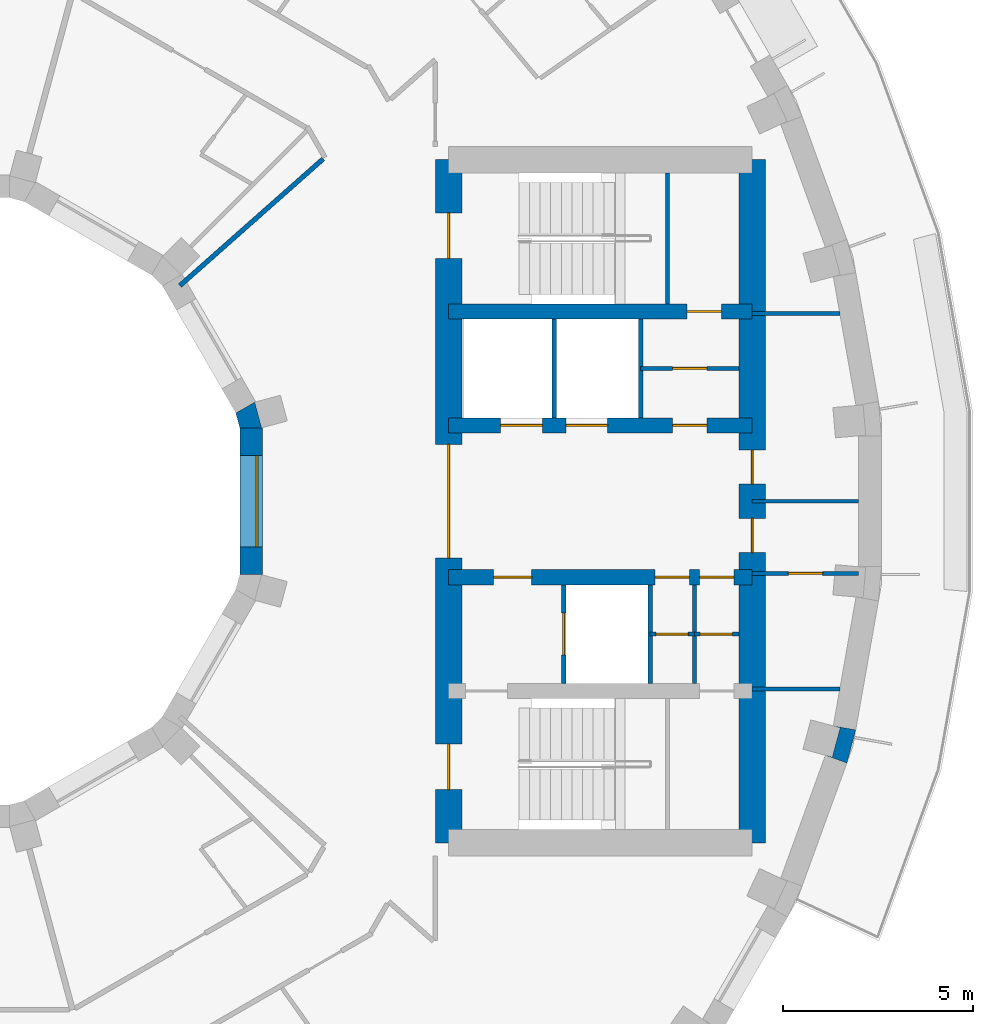
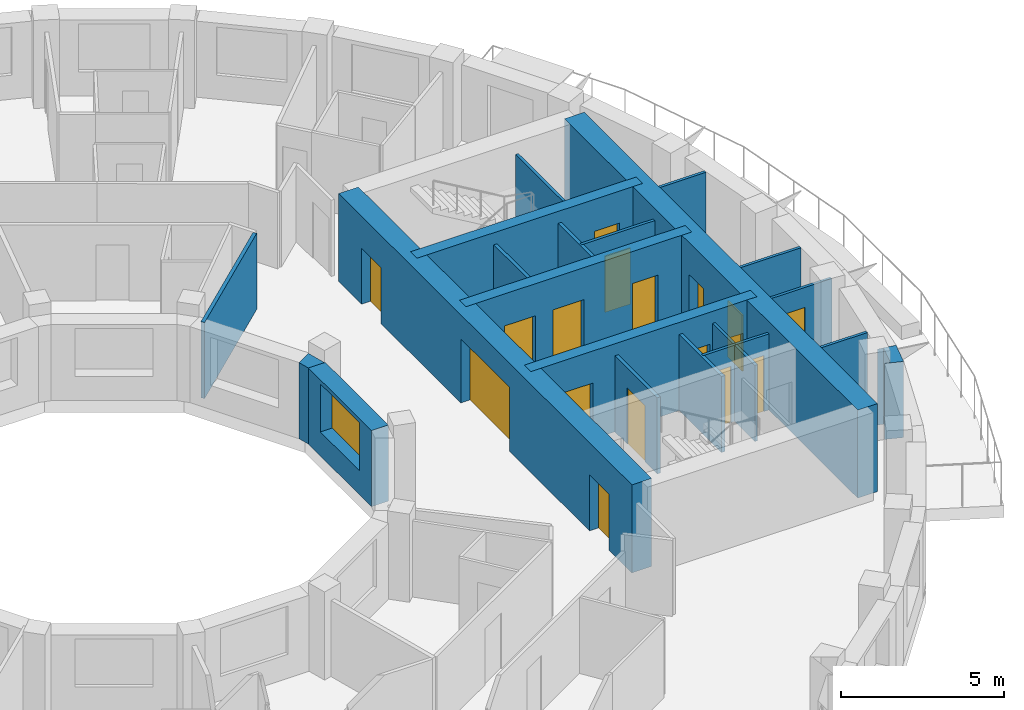
# One storey, part 6 of 11: 22 walls, 17 doors, 1 window, 18 openings.
"""IFC4 building model written with IfcOpenShell, lengths in metres."""

from ifc_helpers import new_model, si_unit, direction, frame, frame_2d, origin, place, context, subcontext, project, spatial, polyline, rectangle, outline, extrude, material, layer, layer_set, type_object, element, fill, save


model = new_model("IFC4")

# Units and contexts
model_context = context("Model", 3, precision=1e-05, world=origin(), true_north=direction((0.0, 1.0)))
body_context = subcontext(model_context, "Body", "Model", "MODEL_VIEW")
ifc_project = project(units=[si_unit("LENGTHUNIT", "METRE"), si_unit("AREAUNIT", "SQUARE_METRE"), si_unit("VOLUMEUNIT", "CUBIC_METRE"), si_unit("PLANEANGLEUNIT", "RADIAN"), si_unit("MASSUNIT", "GRAM", prefix="KILO")], contexts=[model_context])

# Site, building, storey
site_placement = place(None, origin())
site = spatial("IfcSite", under=ifc_project, at=site_placement, CompositionType="ELEMENT")
building_placement = place(site_placement, origin())
building = spatial("IfcBuilding", under=site, at=building_placement, Name="Saqina Gate Tower", CompositionType="ELEMENT")
storey_placement = place(building_placement, frame((0.0, 0.0, 183.89990234375)))
storey = spatial("IfcBuildingStorey", under=building, at=storey_placement, Name="L52", CompositionType="ELEMENT", Elevation=183.89990234375)

# Walls
ifc_material_1 = material(Name="Brick masonry (buff)", Category="masonry")
wall_type_1 = type_object("IfcWallType", Name="BRICK PIER COPING BUFF", PredefinedType="SOLIDWALL", material=ifc_material_1)
wall_1_placement = place(storey_placement, origin())
element("IfcWall", 1, at=wall_1_placement, inside=storey, type_object=wall_type_1, Name="Pier cap L52 column 35", PredefinedType="SOLIDWALL", context=body_context, shape_type="SweptSolid", body=[
    extrude(outline(polyline([(24.22705078125, -6.0234375), (23.635986328125, -5.919189453125), (23.81689453125, -5.967529296875), (23.610107421875, -6.740478515625), (23.428955078125, -6.69189453125), (23.992919921875, -6.897216796875), (24.22705078125, -6.0234375)])), origin(), (0.0, 0.0, 1.0), 2.85009765625),
])
ifc_material_2 = material(Name="Gypsum board on steel studs", Category="steel")
ifc_layer_1 = layer(ifc_material_2, 0.10009765625)
ifc_layer_set_1 = layer_set([ifc_layer_1], Name="CORE PARTITION")
wall_type_2 = type_object("IfcWallType", Name="CORE PARTITION", PredefinedType="PARTITIONING", material=ifc_layer_set_1)
for number, where, z_axis, x_axis, name in (
    (2, (21.5, 4.949951171875, 0.0), (0.0, 0.0, 1.0), (1.0, 0.0, 0.0), "L52-CP-E01"),
    (3, (21.5, -4.949951171875, 0.0), (0.0, 0.0, 1.0), (1.0, 0.0, 0.0), "L52-CP-E02"),
):
    element("IfcWall", number, at=place(storey_placement, frame(where, z_axis=z_axis, x_axis=x_axis)), inside=storey, type_object=wall_type_2, Name=name, PredefinedType="PARTITIONING", context=body_context, shape_type="SweptSolid", body=[
        extrude(rectangle(XDim=2.306884765625, YDim=0.10009765625, at=frame_2d((1.1533203125, 0.0))), origin(), (0.0, 0.0, 1.0), 2.85009765625),
    ])

# Wall, opening, door
wall_2_placement = place(storey_placement, frame((21.5, -1.89990234375, 0.0), z_axis=(0.0, 0.0, 1.0), x_axis=(1.0, 0.0, 0.0)))
wall_2 = element("IfcWall", 4, at=wall_2_placement, inside=storey, type_object=wall_type_2, Name="L52-CP-E03", PredefinedType="PARTITIONING", context=body_context, shape_type="SweptSolid", body=[
    extrude(rectangle(XDim=2.804931640625, YDim=0.10009765625, at=frame_2d((1.40234375, 0.0))), origin(), (0.0, 0.0, 1.0), 2.85009765625),
])
opening_1_placement = place(wall_2_placement, frame((0.952392578125, 0.0, 0.0)))
opening_1 = element("IfcOpeningElement", 5, at=opening_1_placement, cuts=wall_2, Name="Opening G15-D95", PredefinedType="OPENING", context=body_context, shape_type="SweptSolid", body=[
    extrude(rectangle(XDim=0.89990234375, YDim=2.10009765625, at=frame_2d((0.449951171875, 1.050048828125))), frame((0.0, 0.06201171875, 0.0), z_axis=(0.0, -1.0, 0.0), x_axis=(1.0, 0.0, 0.0)), (0.0, 0.0, 1.0), 0.1240234375),
])
ifc_material_3 = material(Name="Steel-framed fire door leaf, EI 60", Category="steel")
door_type_1 = type_object("IfcDoorType", Name="SERVICE ROOM DOOR 900", OperationType="SINGLE_SWING_LEFT", PredefinedType="DOOR", material=ifc_material_3)
door_1_placement = place(opening_1_placement, frame((0.89990234375, 0.0, 0.0), z_axis=(0.0, 0.0, 1.0), x_axis=(-1.0, 0.0, 0.0)))
door_1 = element("IfcDoor", 6, at=door_1_placement, inside=storey, type_object=door_type_1, Name="L52-CD-E06", OperationType="SINGLE_SWING_RIGHT", OverallHeight=2.10009765625, OverallWidth=0.89990234375, PredefinedType="DOOR", context=body_context, shape_type="SweptSolid", body=[
    extrude(rectangle(XDim=0.89990234375, YDim=2.10009765625, at=frame_2d((0.449951171875, 1.050048828125))), frame((0.0, 0.02490234375, 0.0), z_axis=(0.0, -1.0, 0.0), x_axis=(1.0, 0.0, 0.0)), (0.0, 0.0, 1.0), 0.050048828125),
])
fill(opening_1, door_1)

# Walls
wall_3_placement = place(storey_placement, frame((21.5, 0.0, 0.0), z_axis=(0.0, 0.0, 1.0), x_axis=(1.0, 0.0, 0.0)))
element("IfcWall", 7, at=wall_3_placement, inside=storey, type_object=wall_type_2, Name="L52-CP-E04", PredefinedType="PARTITIONING", context=body_context, shape_type="SweptSolid", body=[
    extrude(rectangle(XDim=2.804931640625, YDim=0.10009765625, at=frame_2d((1.40234375, 0.0))), origin(), (0.0, 0.0, 1.0), 2.85009765625),
])
wall_4_placement = place(storey_placement, frame((19.97998046875, -4.800048828125, 0.0), z_axis=(0.0, 0.0, 1.0), x_axis=(0.0, 1.0, 0.0)))
element("IfcWall", 8, at=wall_4_placement, inside=storey, type_object=wall_type_2, Name="L52-CP-E09", PredefinedType="PARTITIONING", context=body_context, shape_type="SweptSolid", body=[
    extrude(rectangle(XDim=2.60009765625, YDim=0.10009765625, at=frame_2d((1.300048828125, 0.0))), origin(), (0.0, 0.0, 1.0), 2.85009765625),
])

# Wall, opening, door
wall_5_placement = place(storey_placement, frame((18.56005859375, 3.5, 0.0), z_axis=(0.0, 0.0, 1.0), x_axis=(1.0, 0.0, 0.0)))
wall_5 = element("IfcWall", 9, at=wall_5_placement, inside=storey, type_object=wall_type_2, Name="L52-CP-E10", PredefinedType="PARTITIONING", context=body_context, shape_type="SweptSolid", body=[
    extrude(rectangle(XDim=2.58984375, YDim=0.10009765625, at=frame_2d((1.294921875, 0.0))), origin(), (0.0, 0.0, 1.0), 2.85009765625),
])
opening_2_placement = place(wall_5_placement, frame((0.844970703125, 0.0, 0.0)))
opening_2 = element("IfcOpeningElement", 10, at=opening_2_placement, cuts=wall_5, Name="Opening G15-D97", PredefinedType="OPENING", context=body_context, shape_type="SweptSolid", body=[
    extrude(rectangle(XDim=0.89990234375, YDim=2.10009765625, at=frame_2d((0.449951171875, 1.050048828125))), frame((0.0, 0.06201171875, 0.0), z_axis=(0.0, -1.0, 0.0), x_axis=(1.0, 0.0, 0.0)), (0.0, 0.0, 1.0), 0.1240234375),
])
door_2_placement = place(opening_2_placement, origin())
door_2 = element("IfcDoor", 11, at=door_2_placement, inside=storey, type_object=door_type_1, Name="L52-CD-E08", OperationType="SINGLE_SWING_RIGHT", OverallHeight=2.10009765625, OverallWidth=0.89990234375, PredefinedType="DOOR", context=body_context, shape_type="SweptSolid", body=[
    extrude(rectangle(XDim=0.89990234375, YDim=2.10009765625, at=frame_2d((0.449951171875, 1.050048828125))), frame((0.0, 0.02490234375, 0.0), z_axis=(0.0, -1.0, 0.0), x_axis=(1.0, 0.0, 0.0)), (0.0, 0.0, 1.0), 0.050048828125),
])
fill(opening_2, door_2)

wall_6_placement = place(storey_placement, frame((18.81005859375, -3.5, 0.0), z_axis=(0.0, 0.0, 1.0), x_axis=(1.0, 0.0, 0.0)))
wall_6 = element("IfcWall", 12, at=wall_6_placement, inside=storey, type_object=wall_type_2, Name="L52-CP-E11", PredefinedType="PARTITIONING", context=body_context, shape_type="SweptSolid", body=[
    extrude(rectangle(XDim=1.169921875, YDim=0.10009765625, at=frame_2d((0.5849609375, 0.0))), origin(), (0.0, 0.0, 1.0), 2.85009765625),
])
opening_3_placement = place(wall_6_placement, frame((0.14990234375, 0.0, 0.0)))
opening_3 = element("IfcOpeningElement", 13, at=opening_3_placement, cuts=wall_6, Name="Opening G15-D99", PredefinedType="OPENING", context=body_context, shape_type="SweptSolid", body=[
    extrude(rectangle(XDim=0.85009765625, YDim=2.10009765625, at=frame_2d((0.425048828125, 1.050048828125))), frame((0.0, 0.06201171875, 0.0), z_axis=(0.0, -1.0, 0.0), x_axis=(1.0, 0.0, 0.0)), (0.0, 0.0, 1.0), 0.1240234375),
])
ifc_material_4 = material(Name="Steel-framed fire door leaf, EI 60", Category="steel")
door_type_2 = type_object("IfcDoorType", Name="SERVICE ROOM DOOR 850", OperationType="SINGLE_SWING_LEFT", PredefinedType="DOOR", material=ifc_material_4)
door_3_placement = place(opening_3_placement, frame((0.85009765625, 0.0, 0.0), z_axis=(0.0, 0.0, 1.0), x_axis=(-1.0, 0.0, 0.0)))
door_3 = element("IfcDoor", 14, at=door_3_placement, inside=storey, type_object=door_type_2, Name="L52-CD-E10", OperationType="SINGLE_SWING_RIGHT", OverallHeight=2.10009765625, OverallWidth=0.85009765625, PredefinedType="DOOR", context=body_context, shape_type="SweptSolid", body=[
    extrude(rectangle(XDim=0.85009765625, YDim=2.10009765625, at=frame_2d((0.425048828125, 1.050048828125))), frame((0.0, 0.02490234375, 0.0), z_axis=(0.0, -1.0, 0.0), x_axis=(1.0, 0.0, 0.0)), (0.0, 0.0, 1.0), 0.050048828125),
])
fill(opening_3, door_3)

wall_7_placement = place(storey_placement, frame((19.97998046875, -3.5, 0.0), z_axis=(0.0, 0.0, 1.0), x_axis=(1.0, 0.0, 0.0)))
wall_7 = element("IfcWall", 15, at=wall_7_placement, inside=storey, type_object=wall_type_2, Name="L52-CP-E12", PredefinedType="PARTITIONING", context=body_context, shape_type="SweptSolid", body=[
    extrude(rectangle(XDim=1.169921875, YDim=0.10009765625, at=frame_2d((0.5849609375, 0.0))), origin(), (0.0, 0.0, 1.0), 2.85009765625),
])
opening_4_placement = place(wall_7_placement, frame((0.14990234375, 0.0, 0.0)))
opening_4 = element("IfcOpeningElement", 16, at=opening_4_placement, cuts=wall_7, Name="Opening G15-D100", PredefinedType="OPENING", context=body_context, shape_type="SweptSolid", body=[
    extrude(rectangle(XDim=0.85009765625, YDim=2.10009765625, at=frame_2d((0.425048828125, 1.050048828125))), frame((0.0, 0.06201171875, 0.0), z_axis=(0.0, -1.0, 0.0), x_axis=(1.0, 0.0, 0.0)), (0.0, 0.0, 1.0), 0.1240234375),
])
door_4_placement = place(opening_4_placement, frame((0.85009765625, 0.0, 0.0), z_axis=(0.0, 0.0, 1.0), x_axis=(-1.0, 0.0, 0.0)))
door_4 = element("IfcDoor", 17, at=door_4_placement, inside=storey, type_object=door_type_2, Name="L52-CD-E11", OperationType="SINGLE_SWING_LEFT", OverallHeight=2.10009765625, OverallWidth=0.85009765625, PredefinedType="DOOR", context=body_context, shape_type="SweptSolid", body=[
    extrude(rectangle(XDim=0.85009765625, YDim=2.10009765625, at=frame_2d((0.425048828125, 1.050048828125))), frame((0.0, 0.02490234375, 0.0), z_axis=(0.0, -1.0, 0.0), x_axis=(1.0, 0.0, 0.0)), (0.0, 0.0, 1.0), 0.050048828125),
])
fill(opening_4, door_4)

# Wall, opening, window
ifc_material_5 = material(Name="Glazed ceramic tile", Category="ceramic")
ifc_layer_2 = layer(ifc_material_5, 0.60009765625)
ifc_layer_set_2 = layer_set([ifc_layer_2], Name="IW-TILE")
wall_type_3 = type_object("IfcWallType", Name="IW-TILE", PredefinedType="SOLIDWALL", material=ifc_layer_set_2)
wall_8_placement = place(storey_placement, frame((8.300048828125, -1.934814453125, 0.0), z_axis=(0.0, 0.0, 1.0), x_axis=(0.0, 1.0, 0.0)))
wall_8 = element("IfcWall", 18, at=wall_8_placement, inside=storey, type_object=wall_type_3, Name="Well wall L52 facet 12", PredefinedType="SOLIDWALL", context=body_context, shape_type="SweptSolid", body=[
    extrude(rectangle(XDim=3.86962890625, YDim=0.60009765625, at=frame_2d((1.934814453125, 0.0))), origin(), (0.0, 0.0, 1.0), 2.85009765625),
])
opening_5_placement = place(wall_8_placement, frame((0.73486328125, 0.0, 0.89990234375)))
opening_5 = element("IfcOpeningElement", 19, at=opening_5_placement, cuts=wall_8, Name="Opening G15-W37", PredefinedType="OPENING", context=body_context, shape_type="SweptSolid", body=[
    extrude(rectangle(XDim=2.39990234375, YDim=1.800048828125, at=frame_2d((1.199951171875, 0.89990234375))), frame((0.0, 0.31201171875, 0.0), z_axis=(0.0, -1.0, 0.0), x_axis=(1.0, 0.0, 0.0)), (0.0, 0.0, 1.0), 0.6240234375),
])
ifc_material_6 = material(Name="Aluminium glazing", Category="aluminium")
window_type = type_object("IfcWindowType", Name="WN-W", PartitioningType="SINGLE_PANEL", PredefinedType="WINDOW", material=ifc_material_6)
window_placement = place(opening_5_placement, origin())
window = element("IfcWindow", 20, at=window_placement, inside=storey, type_object=window_type, Name="Well window L52 facet 12", OverallHeight=1.800048828125, OverallWidth=2.39990234375, PartitioningType="SINGLE_PANEL", PredefinedType="WINDOW", context=body_context, shape_type="SweptSolid", body=[
    extrude(rectangle(XDim=2.39990234375, YDim=1.800048828125, at=frame_2d((1.199951171875, 0.89990234375))), frame((0.0, -0.119873046875, 0.0), z_axis=(0.0, -1.0, 0.0), x_axis=(1.0, 0.0, 0.0)), (0.0, 0.0, 1.0), 0.06005859375),
])
fill(opening_5, window)

# Walls
ifc_material_7 = material(Name="Gypsum board on steel studs, 125 mm, fire rated", Category="steel")
ifc_layer_3 = layer(ifc_material_7, 0.125)
ifc_layer_set_3 = layer_set([ifc_layer_3], Name="PARTITION EI 30 125")
wall_type_4 = type_object("IfcWallType", Name="PARTITION EI 30 125", PredefinedType="PARTITIONING", material=ifc_layer_set_3)
wall_9_placement = place(storey_placement, frame((6.419921875, 5.679931640625, 0.0), z_axis=(0.0, 0.0, 1.0), x_axis=(0.74896790207, 0.662606279527, 0.0)))
element("IfcWall", 21, at=wall_9_placement, inside=storey, type_object=wall_type_4, Name="PARTITION PW1-32", PredefinedType="PARTITIONING", context=body_context, shape_type="SweptSolid", body=[
    extrude(rectangle(XDim=5.04052734375, YDim=0.125, at=frame_2d((2.520263671875, 0.0))), origin(), (0.0, 0.0, 1.0), 2.85009765625),
])
ifc_material_8 = material(Name="Autoclaved aerated concrete block", Category="concrete")
ifc_layer_4 = layer(ifc_material_8, 0.1201171875)
ifc_layer_set_4 = layer_set([ifc_layer_4], Name="SHAFT PARTITION")
wall_type_5 = type_object("IfcWallType", Name="SHAFT PARTITION", PredefinedType="PARTITIONING", material=ifc_layer_set_4)
for number, where, z_axis, x_axis, name in (
    (22, (16.280029296875, 2.199951171875, 0.0), (0.0, 0.0, 1.0), (0.0, 1.0, 0.0), "L52-CP-E05"),
    (23, (18.56005859375, 2.199951171875, 0.0), (0.0, 0.0, 1.0), (0.0, 1.0, 0.0), "L52-CP-E06"),
):
    element("IfcWall", number, at=place(storey_placement, frame(where, z_axis=z_axis, x_axis=x_axis)), inside=storey, type_object=wall_type_5, Name=name, PredefinedType="PARTITIONING", context=body_context, shape_type="SweptSolid", body=[
        extrude(rectangle(XDim=2.60009765625, YDim=0.1201171875, at=frame_2d((1.300048828125, 0.0))), origin(), (0.0, 0.0, 1.0), 2.85009765625),
    ])

# Wall, opening, door
wall_10_placement = place(storey_placement, frame((16.530029296875, -4.800048828125, 0.0), z_axis=(0.0, 0.0, 1.0), x_axis=(0.0, 1.0, 0.0)))
wall_10 = element("IfcWall", 24, at=wall_10_placement, inside=storey, type_object=wall_type_5, Name="L52-CP-E07", PredefinedType="PARTITIONING", context=body_context, shape_type="SweptSolid", body=[
    extrude(rectangle(XDim=2.60009765625, YDim=0.1201171875, at=frame_2d((1.300048828125, 0.0))), origin(), (0.0, 0.0, 1.0), 2.85009765625),
])
opening_6_placement = place(wall_10_placement, frame((0.75, 0.0, 0.0)))
opening_6 = element("IfcOpeningElement", 25, at=opening_6_placement, cuts=wall_10, Name="Opening G15-LD3", PredefinedType="OPENING", context=body_context, shape_type="SweptSolid", body=[
    extrude(rectangle(XDim=1.10009765625, YDim=2.10009765625, at=frame_2d((0.550048828125, 1.050048828125))), frame((0.0, 0.072021484375, 0.0), z_axis=(0.0, -1.0, 0.0), x_axis=(1.0, 0.0, 0.0)), (0.0, 0.0, 1.0), 0.14404296875),
])
ifc_material_9 = material(Name="Stainless steel", Category="steel")
door_type_3 = type_object("IfcDoorType", Name="LANDING DOOR", OperationType="DOUBLE_DOOR_SLIDING", PredefinedType="DOOR", material=ifc_material_9)
door_5_placement = place(opening_6_placement, origin())
door_5 = element("IfcDoor", 26, at=door_5_placement, inside=storey, type_object=door_type_3, Name="LANDING DOOR FF1", OperationType="DOUBLE_DOOR_SLIDING", OverallHeight=2.10009765625, OverallWidth=1.10009765625, PredefinedType="DOOR", context=body_context, shape_type="SweptSolid", body=[
    extrude(rectangle(XDim=1.10009765625, YDim=2.10009765625, at=frame_2d((0.550048828125, 1.050048828125))), frame((0.0, 0.02490234375, 0.0), z_axis=(0.0, -1.0, 0.0), x_axis=(1.0, 0.0, 0.0)), (0.0, 0.0, 1.0), 0.050048828125),
])
fill(opening_6, door_5)

# Walls
wall_11_placement = place(storey_placement, frame((18.81005859375, -4.800048828125, 0.0), z_axis=(0.0, 0.0, 1.0), x_axis=(0.0, 1.0, 0.0)))
element("IfcWall", 27, at=wall_11_placement, inside=storey, type_object=wall_type_5, Name="L52-CP-E08", PredefinedType="PARTITIONING", context=body_context, shape_type="SweptSolid", body=[
    extrude(rectangle(XDim=2.60009765625, YDim=0.1201171875, at=frame_2d((1.300048828125, 0.0))), origin(), (0.0, 0.0, 1.0), 2.85009765625),
])
ifc_material_10 = material(Name="Autoclaved aerated concrete block", Category="concrete")
ifc_layer_5 = layer(ifc_material_10, 0.10009765625)
ifc_layer_set_5 = layer_set([ifc_layer_5], Name="STAIR ENCLOSURE WALL")
wall_type_6 = type_object("IfcWallType", Name="STAIR ENCLOSURE WALL", PredefinedType="PARTITIONING", material=ifc_layer_set_5)
wall_12_placement = place(storey_placement, frame((19.27001953125, 5.199951171875, 0.0), z_axis=(0.0, 0.0, 1.0), x_axis=(0.0, 1.0, 0.0)))
element("IfcWall", 28, at=wall_12_placement, inside=storey, type_object=wall_type_6, Name="L52-CP-E13", PredefinedType="PARTITIONING", context=body_context, shape_type="SweptSolid", body=[
    extrude(rectangle(XDim=3.449951171875, YDim=0.10009765625, at=frame_2d((1.72509765625, 0.0))), origin(), (0.0, 0.0, 1.0), 2.85009765625),
])

# Wall, opening, door
ifc_material_11 = material(Name="Concrete C60/75", Category="concrete")
ifc_layer_6 = layer(ifc_material_11, 0.39990234375)
ifc_layer_set_6 = layer_set([ifc_layer_6], Name="Concrete C60/75")
wall_type_7 = type_object("IfcWallType", Name="STR-CORE WALL-C-I", PredefinedType="SHEAR", material=ifc_layer_set_6)
wall_13_placement = place(storey_placement, frame((13.5, 5.0, 0.0), z_axis=(0.0, 0.0, 1.0), x_axis=(1.0, 0.0, 0.0)))
wall_13 = element("IfcWall", 29, at=wall_13_placement, inside=storey, type_object=wall_type_7, Name="CORE WALL L52 E-X1", PredefinedType="SHEAR", context=body_context, shape_type="SweptSolid", body=[
    extrude(rectangle(XDim=8.0, YDim=0.39990234375, at=frame_2d((4.0, 0.0))), origin(), (0.0, 0.0, 1.0), 3.300048828125),
])
opening_7_placement = place(wall_13_placement, frame((6.284912109375, 0.0, 0.0)))
opening_7 = element("IfcOpeningElement", 30, at=opening_7_placement, cuts=wall_13, Name="Opening G15-D98", PredefinedType="OPENING", context=body_context, shape_type="SweptSolid", body=[
    extrude(rectangle(XDim=0.89990234375, YDim=2.10009765625, at=frame_2d((0.449951171875, 1.050048828125))), frame((0.0, 0.2119140625, 0.0), z_axis=(0.0, -1.0, 0.0), x_axis=(1.0, 0.0, 0.0)), (0.0, 0.0, 1.0), 0.423828125),
])
door_6_placement = place(opening_7_placement, origin())
door_6 = element("IfcDoor", 31, at=door_6_placement, inside=storey, type_object=door_type_1, Name="L52-CD-E09", OperationType="SINGLE_SWING_RIGHT", OverallHeight=2.10009765625, OverallWidth=0.89990234375, PredefinedType="DOOR", context=body_context, shape_type="SweptSolid", body=[
    extrude(rectangle(XDim=0.89990234375, YDim=2.10009765625, at=frame_2d((0.449951171875, 1.050048828125))), frame((0.0, 0.02490234375, 0.0), z_axis=(0.0, -1.0, 0.0), x_axis=(1.0, 0.0, 0.0)), (0.0, 0.0, 1.0), 0.050048828125),
])
fill(opening_7, door_6)

# Wall, openings, doors
wall_14_placement = place(storey_placement, frame((13.5, 2.0, 0.0), z_axis=(0.0, 0.0, 1.0), x_axis=(1.0, 0.0, 0.0)))
wall_14 = element("IfcWall", 32, at=wall_14_placement, inside=storey, type_object=wall_type_7, Name="CORE WALL L52 E-L1", PredefinedType="SHEAR", context=body_context, shape_type="SweptSolid", body=[
    extrude(rectangle(XDim=8.0, YDim=0.39990234375, at=frame_2d((4.0, 0.0))), origin(), (0.0, 0.0, 1.0), 3.300048828125),
])
opening_8_placement = place(wall_14_placement, frame((1.3701171875, 0.0, 0.0)))
opening_8 = element("IfcOpeningElement", 33, at=opening_8_placement, cuts=wall_14, Name="Opening G15-LD1", PredefinedType="OPENING", context=body_context, shape_type="SweptSolid", body=[
    extrude(rectangle(XDim=1.10009765625, YDim=2.10009765625, at=frame_2d((0.550048828125, 1.050048828125))), frame((0.0, 0.2119140625, 0.0), z_axis=(0.0, -1.0, 0.0), x_axis=(1.0, 0.0, 0.0)), (0.0, 0.0, 1.0), 0.423828125),
])
opening_9_placement = place(wall_14_placement, frame((3.090087890625, 0.0, 0.0)))
opening_9 = element("IfcOpeningElement", 34, at=opening_9_placement, cuts=wall_14, Name="Opening G15-LD2", PredefinedType="OPENING", context=body_context, shape_type="SweptSolid", body=[
    extrude(rectangle(XDim=1.10009765625, YDim=2.10009765625, at=frame_2d((0.550048828125, 1.050048828125))), frame((0.0, 0.2119140625, 0.0), z_axis=(0.0, -1.0, 0.0), x_axis=(1.0, 0.0, 0.0)), (0.0, 0.0, 1.0), 0.423828125),
])
opening_10_placement = place(wall_14_placement, frame((5.905029296875, 0.0, 0.0)))
opening_10 = element("IfcOpeningElement", 35, at=opening_10_placement, cuts=wall_14, Name="Opening G15-D90", PredefinedType="OPENING", context=body_context, shape_type="SweptSolid", body=[
    extrude(rectangle(XDim=0.89990234375, YDim=2.10009765625, at=frame_2d((0.449951171875, 1.050048828125))), frame((0.0, 0.2119140625, 0.0), z_axis=(0.0, -1.0, 0.0), x_axis=(1.0, 0.0, 0.0)), (0.0, 0.0, 1.0), 0.423828125),
])
door_7_placement = place(opening_8_placement, origin())
door_7 = element("IfcDoor", 36, at=door_7_placement, inside=storey, type_object=door_type_3, Name="LANDING DOOR HR1", OperationType="DOUBLE_DOOR_SLIDING", OverallHeight=2.10009765625, OverallWidth=1.10009765625, PredefinedType="DOOR", context=body_context, shape_type="SweptSolid", body=[
    extrude(rectangle(XDim=1.10009765625, YDim=2.10009765625, at=frame_2d((0.550048828125, 1.050048828125))), frame((0.0, 0.02490234375, 0.0), z_axis=(0.0, -1.0, 0.0), x_axis=(1.0, 0.0, 0.0)), (0.0, 0.0, 1.0), 0.050048828125),
])
fill(opening_8, door_7)
door_8_placement = place(opening_9_placement, origin())
door_8 = element("IfcDoor", 37, at=door_8_placement, inside=storey, type_object=door_type_3, Name="LANDING DOOR HR2", OperationType="DOUBLE_DOOR_SLIDING", OverallHeight=2.10009765625, OverallWidth=1.10009765625, PredefinedType="DOOR", context=body_context, shape_type="SweptSolid", body=[
    extrude(rectangle(XDim=1.10009765625, YDim=2.10009765625, at=frame_2d((0.550048828125, 1.050048828125))), frame((0.0, 0.02490234375, 0.0), z_axis=(0.0, -1.0, 0.0), x_axis=(1.0, 0.0, 0.0)), (0.0, 0.0, 1.0), 0.050048828125),
])
fill(opening_9, door_8)
door_9_placement = place(opening_10_placement, origin())
door_9 = element("IfcDoor", 38, at=door_9_placement, inside=storey, type_object=door_type_1, Name="L52-CD-E01", OperationType="SINGLE_SWING_RIGHT", OverallHeight=2.10009765625, OverallWidth=0.89990234375, PredefinedType="DOOR", context=body_context, shape_type="SweptSolid", body=[
    extrude(rectangle(XDim=0.89990234375, YDim=2.10009765625, at=frame_2d((0.449951171875, 1.050048828125))), frame((0.0, 0.02490234375, 0.0), z_axis=(0.0, -1.0, 0.0), x_axis=(1.0, 0.0, 0.0)), (0.0, 0.0, 1.0), 0.050048828125),
])
fill(opening_10, door_9)

wall_15_placement = place(storey_placement, frame((13.5, -2.0, 0.0), z_axis=(0.0, 0.0, 1.0), x_axis=(1.0, 0.0, 0.0)))
wall_15 = element("IfcWall", 39, at=wall_15_placement, inside=storey, type_object=wall_type_7, Name="CORE WALL L52 E-L2", PredefinedType="SHEAR", context=body_context, shape_type="SweptSolid", body=[
    extrude(rectangle(XDim=8.0, YDim=0.39990234375, at=frame_2d((4.0, 0.0))), origin(), (0.0, 0.0, 1.0), 3.300048828125),
])
opening_11_placement = place(wall_15_placement, frame((1.18994140625, 0.0, 0.0)))
opening_11 = element("IfcOpeningElement", 40, at=opening_11_placement, cuts=wall_15, Name="Opening G15-D91", PredefinedType="OPENING", context=body_context, shape_type="SweptSolid", body=[
    extrude(rectangle(XDim=1.0, YDim=2.10009765625, at=frame_2d((0.5, 1.050048828125))), frame((0.0, 0.2119140625, 0.0), z_axis=(0.0, -1.0, 0.0), x_axis=(1.0, 0.0, 0.0)), (0.0, 0.0, 1.0), 0.423828125),
])
opening_12_placement = place(wall_15_placement, frame((5.445068359375, 0.0, 0.0)))
opening_12 = element("IfcOpeningElement", 41, at=opening_12_placement, cuts=wall_15, Name="Opening G15-D92", PredefinedType="OPENING", context=body_context, shape_type="SweptSolid", body=[
    extrude(rectangle(XDim=0.89990234375, YDim=2.10009765625, at=frame_2d((0.449951171875, 1.050048828125))), frame((0.0, 0.2119140625, 0.0), z_axis=(0.0, -1.0, 0.0), x_axis=(1.0, 0.0, 0.0)), (0.0, 0.0, 1.0), 0.423828125),
])
opening_13_placement = place(wall_15_placement, frame((6.614990234375, 0.0, 0.0)))
opening_13 = element("IfcOpeningElement", 42, at=opening_13_placement, cuts=wall_15, Name="Opening G15-D93", PredefinedType="OPENING", context=body_context, shape_type="SweptSolid", body=[
    extrude(rectangle(XDim=0.89990234375, YDim=2.10009765625, at=frame_2d((0.449951171875, 1.050048828125))), frame((0.0, 0.2119140625, 0.0), z_axis=(0.0, -1.0, 0.0), x_axis=(1.0, 0.0, 0.0)), (0.0, 0.0, 1.0), 0.423828125),
])
ifc_material_12 = material(Name="Steel", Category="steel")
door_type_4 = type_object("IfcDoorType", Name="FIRE LOBBY DOOR EI 60", OperationType="SINGLE_SWING_LEFT", PredefinedType="DOOR", material=ifc_material_12)
door_10_placement = place(opening_11_placement, origin())
door_10 = element("IfcDoor", 43, at=door_10_placement, inside=storey, type_object=door_type_4, Name="L52-CD-E02", OperationType="SINGLE_SWING_LEFT", OverallHeight=2.10009765625, OverallWidth=1.0, PredefinedType="DOOR", context=body_context, shape_type="SweptSolid", body=[
    extrude(rectangle(XDim=1.0, YDim=2.10009765625, at=frame_2d((0.5, 1.050048828125))), frame((0.0, 0.02490234375, 0.0), z_axis=(0.0, -1.0, 0.0), x_axis=(1.0, 0.0, 0.0)), (0.0, 0.0, 1.0), 0.050048828125),
])
fill(opening_11, door_10)
door_11_placement = place(opening_12_placement, frame((0.89990234375, 0.0, 0.0), z_axis=(0.0, 0.0, 1.0), x_axis=(-1.0, 0.0, 0.0)))
door_11 = element("IfcDoor", 44, at=door_11_placement, inside=storey, type_object=door_type_1, Name="L52-CD-E03", OperationType="SINGLE_SWING_RIGHT", OverallHeight=2.10009765625, OverallWidth=0.89990234375, PredefinedType="DOOR", context=body_context, shape_type="SweptSolid", body=[
    extrude(rectangle(XDim=0.89990234375, YDim=2.10009765625, at=frame_2d((0.449951171875, 1.050048828125))), frame((0.0, 0.02490234375, 0.0), z_axis=(0.0, -1.0, 0.0), x_axis=(1.0, 0.0, 0.0)), (0.0, 0.0, 1.0), 0.050048828125),
])
fill(opening_12, door_11)
door_12_placement = place(opening_13_placement, frame((0.89990234375, 0.0, 0.0), z_axis=(0.0, 0.0, 1.0), x_axis=(-1.0, 0.0, 0.0)))
door_12 = element("IfcDoor", 45, at=door_12_placement, inside=storey, type_object=door_type_1, Name="L52-CD-E04", OperationType="SINGLE_SWING_LEFT", OverallHeight=2.10009765625, OverallWidth=0.89990234375, PredefinedType="DOOR", context=body_context, shape_type="SweptSolid", body=[
    extrude(rectangle(XDim=0.89990234375, YDim=2.10009765625, at=frame_2d((0.449951171875, 1.050048828125))), frame((0.0, 0.02490234375, 0.0), z_axis=(0.0, -1.0, 0.0), x_axis=(1.0, 0.0, 0.0)), (0.0, 0.0, 1.0), 0.050048828125),
])
fill(opening_13, door_12)

ifc_material_13 = material(Name="Concrete C60/75", Category="concrete")
ifc_layer_7 = layer(ifc_material_13, 0.699951171875)
ifc_layer_set_7 = layer_set([ifc_layer_7], Name="Concrete C60/75")
wall_type_8 = type_object("IfcWallType", Name="STR-CORE WALL-C-O", PredefinedType="SHEAR", material=ifc_layer_set_7)
wall_16_placement = place(storey_placement, frame((13.5, -9.0, 0.0), z_axis=(0.0, 0.0, 1.0), x_axis=(0.0, 1.0, 0.0)))
wall_16 = element("IfcWall", 46, at=wall_16_placement, inside=storey, type_object=wall_type_8, Name="CORE WALL L52 E-W1", PredefinedType="SHEAR", context=body_context, shape_type="SweptSolid", body=[
    extrude(rectangle(XDim=18.0, YDim=0.699951171875, at=frame_2d((9.0, 0.0))), origin(), (0.0, 0.0, 1.0), 3.300048828125),
])
opening_14_placement = place(wall_16_placement, frame((15.39990234375, 0.0, 0.0)))
opening_14 = element("IfcOpeningElement", 47, at=opening_14_placement, cuts=wall_16, Name="Opening G15-D103", PredefinedType="OPENING", context=body_context, shape_type="SweptSolid", body=[
    extrude(rectangle(XDim=1.199951171875, YDim=2.10009765625, at=frame_2d((0.60009765625, 1.050048828125))), frame((0.0, 0.362060546875, 0.0), z_axis=(0.0, -1.0, 0.0), x_axis=(1.0, 0.0, 0.0)), (0.0, 0.0, 1.0), 0.723876953125),
])
opening_15_placement = place(wall_16_placement, frame((1.39990234375, 0.0, 0.0)))
opening_15 = element("IfcOpeningElement", 48, at=opening_15_placement, cuts=wall_16, Name="Opening G15-D104", PredefinedType="OPENING", context=body_context, shape_type="SweptSolid", body=[
    extrude(rectangle(XDim=1.199951171875, YDim=2.10009765625, at=frame_2d((0.60009765625, 1.050048828125))), frame((0.0, 0.362060546875, 0.0), z_axis=(0.0, -1.0, 0.0), x_axis=(1.0, 0.0, 0.0)), (0.0, 0.0, 1.0), 0.723876953125),
])
opening_16_placement = place(wall_16_placement, frame((7.5, 0.0, 0.0)))
opening_16 = element("IfcOpeningElement", 49, at=opening_16_placement, cuts=wall_16, Name="Opening G15-D105", PredefinedType="OPENING", context=body_context, shape_type="SweptSolid", body=[
    extrude(rectangle(XDim=3.0, YDim=2.39990234375, at=frame_2d((1.5, 1.199951171875))), frame((0.0, 0.362060546875, 0.0), z_axis=(0.0, -1.0, 0.0), x_axis=(1.0, 0.0, 0.0)), (0.0, 0.0, 1.0), 0.723876953125),
])
ifc_material_14 = material(Name="Steel", Category="steel")
door_type_5 = type_object("IfcDoorType", Name="FIRE DOOR EI 60", OperationType="SINGLE_SWING_LEFT", PredefinedType="DOOR", material=ifc_material_14)
door_13_placement = place(opening_14_placement, frame((1.199951171875, 0.0, 0.0), z_axis=(0.0, 0.0, 1.0), x_axis=(-1.0, 0.0, 0.0)))
door_13 = element("IfcDoor", 50, at=door_13_placement, inside=storey, type_object=door_type_5, Name="L52-CD-E14", OperationType="SINGLE_SWING_LEFT", OverallHeight=2.10009765625, OverallWidth=1.199951171875, PredefinedType="DOOR", context=body_context, shape_type="SweptSolid", body=[
    extrude(rectangle(XDim=1.199951171875, YDim=2.10009765625, at=frame_2d((0.60009765625, 1.050048828125))), frame((0.0, 0.02490234375, 0.0), z_axis=(0.0, -1.0, 0.0), x_axis=(1.0, 0.0, 0.0)), (0.0, 0.0, 1.0), 0.050048828125),
])
fill(opening_14, door_13)
door_14_placement = place(opening_15_placement, frame((1.199951171875, 0.0, 0.0), z_axis=(0.0, 0.0, 1.0), x_axis=(-1.0, 0.0, 0.0)))
door_14 = element("IfcDoor", 51, at=door_14_placement, inside=storey, type_object=door_type_5, Name="L52-CD-E15", OperationType="SINGLE_SWING_RIGHT", OverallHeight=2.10009765625, OverallWidth=1.199951171875, PredefinedType="DOOR", context=body_context, shape_type="SweptSolid", body=[
    extrude(rectangle(XDim=1.199951171875, YDim=2.10009765625, at=frame_2d((0.60009765625, 1.050048828125))), frame((0.0, 0.02490234375, 0.0), z_axis=(0.0, -1.0, 0.0), x_axis=(1.0, 0.0, 0.0)), (0.0, 0.0, 1.0), 0.050048828125),
])
fill(opening_15, door_14)
ifc_material_15 = material(Name="Steel and fire-resisting glass", Category="steel")
door_type_6 = type_object("IfcDoorType", Name="LOBBY SCREEN DOOR", OperationType="DOUBLE_DOOR_SLIDING", PredefinedType="DOOR", material=ifc_material_15)
door_15_placement = place(opening_16_placement, origin())
door_15 = element("IfcDoor", 52, at=door_15_placement, inside=storey, type_object=door_type_6, Name="L52-CD-E16", OperationType="DOUBLE_DOOR_SLIDING", OverallHeight=2.39990234375, OverallWidth=3.0, PredefinedType="DOOR", context=body_context, shape_type="SweptSolid", body=[
    extrude(rectangle(XDim=3.0, YDim=2.39990234375, at=frame_2d((1.5, 1.199951171875))), frame((0.0, 0.02490234375, 0.0), z_axis=(0.0, -1.0, 0.0), x_axis=(1.0, 0.0, 0.0)), (0.0, 0.0, 1.0), 0.050048828125),
])
fill(opening_16, door_15)

wall_17_placement = place(storey_placement, frame((21.5, -9.0, 0.0), z_axis=(0.0, 0.0, 1.0), x_axis=(0.0, 1.0, 0.0)))
wall_17 = element("IfcWall", 53, at=wall_17_placement, inside=storey, type_object=wall_type_8, Name="CORE WALL L52 E-W2", PredefinedType="SHEAR", context=body_context, shape_type="SweptSolid", body=[
    extrude(rectangle(XDim=18.0, YDim=0.699951171875, at=frame_2d((9.0, 0.0))), origin(), (0.0, 0.0, 1.0), 3.300048828125),
])
opening_17_placement = place(wall_17_placement, frame((9.449951171875, 0.0, 0.0)))
opening_17 = element("IfcOpeningElement", 54, at=opening_17_placement, cuts=wall_17, Name="Opening G15-D94", PredefinedType="OPENING", context=body_context, shape_type="SweptSolid", body=[
    extrude(rectangle(XDim=0.89990234375, YDim=2.10009765625, at=frame_2d((0.449951171875, 1.050048828125))), frame((0.0, 0.362060546875, 0.0), z_axis=(0.0, -1.0, 0.0), x_axis=(1.0, 0.0, 0.0)), (0.0, 0.0, 1.0), 0.723876953125),
])
opening_18_placement = place(wall_17_placement, frame((7.64990234375, 0.0, 0.0)))
opening_18 = element("IfcOpeningElement", 55, at=opening_18_placement, cuts=wall_17, Name="Opening G15-D96", PredefinedType="OPENING", context=body_context, shape_type="SweptSolid", body=[
    extrude(rectangle(XDim=0.89990234375, YDim=2.10009765625, at=frame_2d((0.449951171875, 1.050048828125))), frame((0.0, 0.362060546875, 0.0), z_axis=(0.0, -1.0, 0.0), x_axis=(1.0, 0.0, 0.0)), (0.0, 0.0, 1.0), 0.723876953125),
])
door_16_placement = place(opening_17_placement, frame((0.89990234375, 0.0, 0.0), z_axis=(0.0, 0.0, 1.0), x_axis=(-1.0, 0.0, 0.0)))
door_16 = element("IfcDoor", 56, at=door_16_placement, inside=storey, type_object=door_type_1, Name="L52-CD-E05", OperationType="SINGLE_SWING_RIGHT", OverallHeight=2.10009765625, OverallWidth=0.89990234375, PredefinedType="DOOR", context=body_context, shape_type="SweptSolid", body=[
    extrude(rectangle(XDim=0.89990234375, YDim=2.10009765625, at=frame_2d((0.449951171875, 1.050048828125))), frame((0.0, 0.02490234375, 0.0), z_axis=(0.0, -1.0, 0.0), x_axis=(1.0, 0.0, 0.0)), (0.0, 0.0, 1.0), 0.050048828125),
])
fill(opening_17, door_16)
door_17_placement = place(opening_18_placement, frame((0.89990234375, 0.0, 0.0), z_axis=(0.0, 0.0, 1.0), x_axis=(-1.0, 0.0, 0.0)))
door_17 = element("IfcDoor", 57, at=door_17_placement, inside=storey, type_object=door_type_1, Name="L52-CD-E07", OperationType="SINGLE_SWING_RIGHT", OverallHeight=2.10009765625, OverallWidth=0.89990234375, PredefinedType="DOOR", context=body_context, shape_type="SweptSolid", body=[
    extrude(rectangle(XDim=0.89990234375, YDim=2.10009765625, at=frame_2d((0.449951171875, 1.050048828125))), frame((0.0, 0.02490234375, 0.0), z_axis=(0.0, -1.0, 0.0), x_axis=(1.0, 0.0, 0.0)), (0.0, 0.0, 1.0), 0.050048828125),
])
fill(opening_18, door_17)

# Wall
ifc_material_16 = material(Name="Glazed ceramic tile", Category="ceramic")
wall_type_9 = type_object("IfcWallType", Name="TILE PIER COPING", PredefinedType="SOLIDWALL", material=ifc_material_16)
wall_18_placement = place(storey_placement, origin())
element("IfcWall", 58, at=wall_18_placement, inside=storey, type_object=wall_type_9, Name="Well pier cap L52 column 1", PredefinedType="SOLIDWALL", context=body_context, shape_type="SweptSolid", body=[
    extrude(outline(polyline([(8.392333984375, 2.611083984375), (7.895751953125, 2.32421875), (8.0, 1.934814453125), (8.573486328125, 1.934814453125), (8.392333984375, 2.611083984375)])), origin(), (0.0, 0.0, 1.0), 2.85009765625),
])

save(model, "model.ifc")
